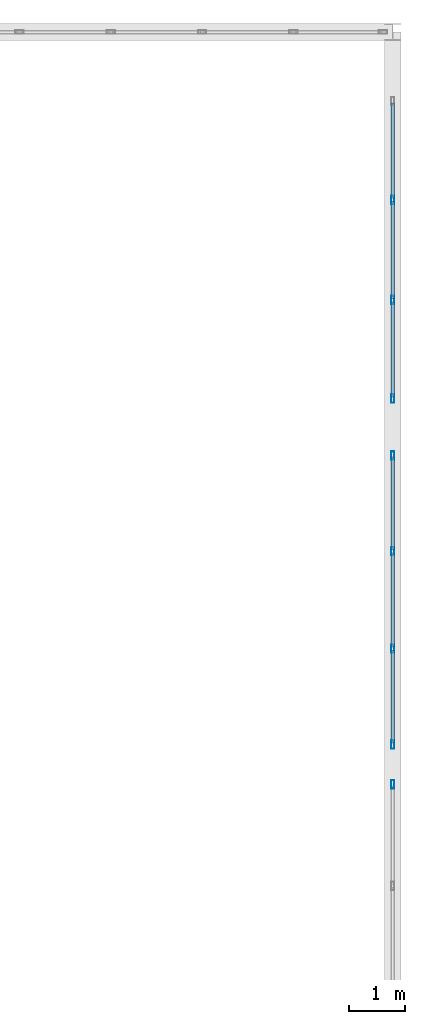
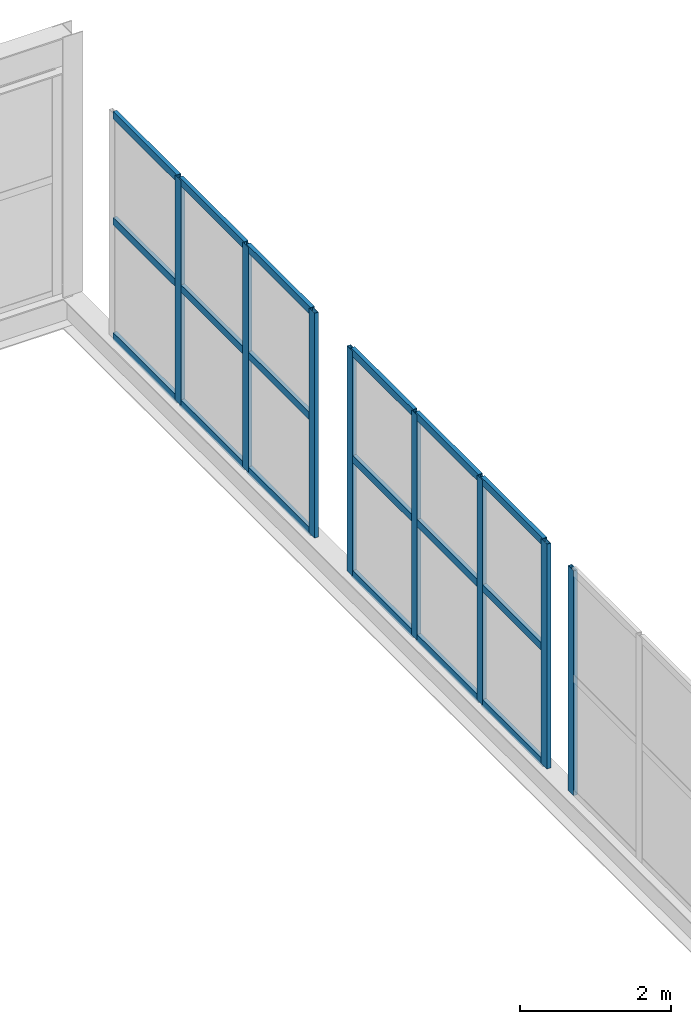
# One storey, part 159 of 218: 26 members, 3 elements without a shape of their own.
"""IFC4 building model written with IfcOpenShell, lengths in metres."""

from ifc_helpers import new_model, si_unit, direction, frame, origin, origin_2d, place, context, subcontext, project, spatial, hollow_rectangle, extrude, material, material_profile, profile_set, type_object, element, aggregate, save


model = new_model("IFC4")

# Units and contexts
model_context = context("Model", 3, precision=1e-05, world=origin(), true_north=direction((0.0, 1.0)))
body_context = subcontext(model_context, "Body", "Model", "MODEL_VIEW")
ifc_project = project(units=[si_unit("LENGTHUNIT", "METRE"), si_unit("AREAUNIT", "SQUARE_METRE"), si_unit("VOLUMEUNIT", "CUBIC_METRE"), si_unit("PLANEANGLEUNIT", "RADIAN"), si_unit("MASSUNIT", "GRAM", prefix="KILO")], contexts=[model_context])

# Site, building, storey
site_placement = place(None, origin())
site = spatial("IfcSite", under=ifc_project, at=site_placement, CompositionType="ELEMENT")
building_placement = place(site_placement, origin())
building = spatial("IfcBuilding", under=site, at=building_placement, Name="Kazenagashi Tramway Depot", CompositionType="ELEMENT")
storey_placement = place(building_placement, frame((0.0, 0.0, 6.0)))
storey = spatial("IfcBuildingStorey", under=building, at=storey_placement, Name="L02", CompositionType="ELEMENT", Elevation=6.0)

# Curtain wall, member
ifc_material_1 = material(Name="Anodised Aluminium and Low-E Glazing", Category="aluminium")
curtain_wall_type_1 = type_object("IfcCurtainWallType", Name="CW-08", PredefinedType="USERDEFINED", material=ifc_material_1)
curtain_wall_1_placement = place(storey_placement, origin())
curtain_wall_1 = element("IfcCurtainWall", 1, at=curtain_wall_1_placement, inside=storey, type_object=curtain_wall_type_1, Name="Industrial Glazed Screen CW-08 CW-0012", ObjectType="GLAZED SCREEN", PredefinedType="USERDEFINED")
ifc_material_2 = material(Name="Anodised Aluminium", Category="aluminium")
ifc_material_profile_1 = material_profile(ifc_material_2, hollow_rectangle(XDim=0.06, YDim=0.15, WallThickness=0.004, at=origin_2d()), Name="RHS-150x60x4")
ifc_profile_set_1 = profile_set([ifc_material_profile_1], Name="Anodised Aluminium")
member_type_1 = type_object("IfcMemberType", Name="ML-01", PredefinedType="MULLION", material=ifc_profile_set_1)
member_1_placement = place(storey_placement, frame((196.0, 116.62, -0.02), z_axis=(0.0, 0.0, 1.0), x_axis=(-1.0, 0.0, 0.0)))
member_1 = element("IfcMember", 2, at=member_1_placement, type_object=member_type_1, Name="CW-08 mullion 4", PredefinedType="MULLION", context=body_context, shape_type="SweptSolid", body=[
    extrude(hollow_rectangle(XDim=0.06, YDim=0.15, WallThickness=0.004, at=origin_2d()), origin(), (0.0, 0.0, 1.0), 3.632),
])
aggregate(curtain_wall_1, [member_1])

# Curtain wall, members
curtain_wall_type_2 = type_object("IfcCurtainWallType", Name="CW-04", PredefinedType="USERDEFINED", material=ifc_material_1)
curtain_wall_2_placement = place(storey_placement, origin())
curtain_wall_2 = element("IfcCurtainWall", 3, at=curtain_wall_2_placement, inside=storey, type_object=curtain_wall_type_2, Name="Industrial Glazed Screen CW-04 CW-0014", ObjectType="GLAZED SCREEN", PredefinedType="USERDEFINED")
member_2_placement = place(storey_placement, frame((196.0, 117.33, -0.02), z_axis=(0.0, 0.0, 1.0), x_axis=(-1.0, 0.0, 0.0)))
member_2 = element("IfcMember", 4, at=member_2_placement, type_object=member_type_1, Name="CW-04 mullion 1", PredefinedType="MULLION", context=body_context, shape_type="SweptSolid", body=[
    extrude(hollow_rectangle(XDim=0.06, YDim=0.15, WallThickness=0.004, at=origin_2d()), origin(), (0.0, 0.0, 1.0), 3.632),
])
member_3_placement = place(storey_placement, frame((196.0, 119.033333, -0.02), z_axis=(0.0, 0.0, 1.0), x_axis=(-1.0, 0.0, 0.0)))
member_3 = element("IfcMember", 5, at=member_3_placement, type_object=member_type_1, Name="CW-04 mullion 2", PredefinedType="MULLION", context=body_context, shape_type="SweptSolid", body=[
    extrude(hollow_rectangle(XDim=0.06, YDim=0.15, WallThickness=0.004, at=origin_2d()), origin(), (0.0, 0.0, 1.0), 3.632),
])
member_4_placement = place(storey_placement, frame((196.0, 120.766667, -0.02), z_axis=(0.0, 0.0, 1.0), x_axis=(-1.0, 0.0, 0.0)))
member_4 = element("IfcMember", 6, at=member_4_placement, type_object=member_type_1, Name="CW-04 mullion 3", PredefinedType="MULLION", context=body_context, shape_type="SweptSolid", body=[
    extrude(hollow_rectangle(XDim=0.06, YDim=0.15, WallThickness=0.004, at=origin_2d()), origin(), (0.0, 0.0, 1.0), 3.632),
])
member_5_placement = place(storey_placement, frame((196.0, 122.47, -0.02), z_axis=(0.0, 0.0, 1.0), x_axis=(-1.0, 0.0, 0.0)))
member_5 = element("IfcMember", 7, at=member_5_placement, type_object=member_type_1, Name="CW-04 mullion 4", PredefinedType="MULLION", context=body_context, shape_type="SweptSolid", body=[
    extrude(hollow_rectangle(XDim=0.06, YDim=0.15, WallThickness=0.004, at=origin_2d()), origin(), (0.0, 0.0, 1.0), 3.632),
])

curtain_wall_type_3 = type_object("IfcCurtainWallType", Name="CW-06", PredefinedType="USERDEFINED", material=ifc_material_1)
curtain_wall_3_placement = place(storey_placement, origin())
curtain_wall_3 = element("IfcCurtainWall", 8, at=curtain_wall_3_placement, inside=storey, type_object=curtain_wall_type_3, Name="Industrial Glazed Screen CW-06 CW-0016", ObjectType="GLAZED SCREEN", PredefinedType="USERDEFINED")
member_6_placement = place(storey_placement, frame((196.0, 123.48, -0.02), z_axis=(0.0, 0.0, 1.0), x_axis=(-1.0, 0.0, 0.0)))
member_6 = element("IfcMember", 9, at=member_6_placement, type_object=member_type_1, Name="CW-06 mullion 1", PredefinedType="MULLION", context=body_context, shape_type="SweptSolid", body=[
    extrude(hollow_rectangle(XDim=0.06, YDim=0.15, WallThickness=0.004, at=origin_2d()), origin(), (0.0, 0.0, 1.0), 3.632),
])
member_7_placement = place(storey_placement, frame((196.0, 125.233333, -0.02), z_axis=(0.0, 0.0, 1.0), x_axis=(-1.0, 0.0, 0.0)))
member_7 = element("IfcMember", 10, at=member_7_placement, type_object=member_type_1, Name="CW-06 mullion 2", PredefinedType="MULLION", context=body_context, shape_type="SweptSolid", body=[
    extrude(hollow_rectangle(XDim=0.06, YDim=0.15, WallThickness=0.004, at=origin_2d()), origin(), (0.0, 0.0, 1.0), 3.632),
])
member_8_placement = place(storey_placement, frame((196.0, 127.016667, -0.02), z_axis=(0.0, 0.0, 1.0), x_axis=(-1.0, 0.0, 0.0)))
member_8 = element("IfcMember", 11, at=member_8_placement, type_object=member_type_1, Name="CW-06 mullion 3", PredefinedType="MULLION", context=body_context, shape_type="SweptSolid", body=[
    extrude(hollow_rectangle(XDim=0.06, YDim=0.15, WallThickness=0.004, at=origin_2d()), origin(), (0.0, 0.0, 1.0), 3.632),
])

# Member
ifc_material_profile_2 = material_profile(ifc_material_2, hollow_rectangle(XDim=0.06, YDim=0.12, WallThickness=0.004, at=origin_2d()), Name="RHS-120x60x4")
ifc_profile_set_2 = profile_set([ifc_material_profile_2], Name="Anodised Aluminium")
member_type_2 = type_object("IfcMemberType", Name="TR-01", PredefinedType="USERDEFINED", material=ifc_profile_set_2)
member_9_placement = place(storey_placement, frame((196.0, 117.36, 0.01), z_axis=(0.0, 1.0, 0.0), x_axis=(-1.0, 0.0, 0.0)))
member_9 = element("IfcMember", 12, at=member_9_placement, type_object=member_type_2, Name="CW-04 transom 1.1", ObjectType="TRANSOM", PredefinedType="USERDEFINED", context=body_context, shape_type="SweptSolid", body=[
    extrude(hollow_rectangle(XDim=0.06, YDim=0.12, WallThickness=0.004, at=origin_2d()), origin(), (0.0, 0.0, 1.0), 1.643333),
])

member_10_placement = place(storey_placement, frame((196.0, 117.36, 1.869), z_axis=(0.0, 1.0, 0.0), x_axis=(-1.0, 0.0, 0.0)))
member_10 = element("IfcMember", 13, at=member_10_placement, type_object=member_type_2, Name="CW-04 transom 1.2", ObjectType="TRANSOM", PredefinedType="USERDEFINED", context=body_context, shape_type="SweptSolid", body=[
    extrude(hollow_rectangle(XDim=0.06, YDim=0.12, WallThickness=0.004, at=origin_2d()), origin(), (0.0, 0.0, 1.0), 1.643333),
])

member_11_placement = place(storey_placement, frame((196.0, 117.36, 3.582), z_axis=(0.0, 1.0, 0.0), x_axis=(-1.0, 0.0, 0.0)))
member_11 = element("IfcMember", 14, at=member_11_placement, type_object=member_type_2, Name="CW-04 transom 1.3", ObjectType="TRANSOM", PredefinedType="USERDEFINED", context=body_context, shape_type="SweptSolid", body=[
    extrude(hollow_rectangle(XDim=0.06, YDim=0.12, WallThickness=0.004, at=origin_2d()), origin(), (0.0, 0.0, 1.0), 1.643333),
])

member_12_placement = place(storey_placement, frame((196.0, 119.063333, 0.01), z_axis=(0.0, 1.0, 0.0), x_axis=(-1.0, 0.0, 0.0)))
member_12 = element("IfcMember", 15, at=member_12_placement, type_object=member_type_2, Name="CW-04 transom 2.1", ObjectType="TRANSOM", PredefinedType="USERDEFINED", context=body_context, shape_type="SweptSolid", body=[
    extrude(hollow_rectangle(XDim=0.06, YDim=0.12, WallThickness=0.004, at=origin_2d()), origin(), (0.0, 0.0, 1.0), 1.673334),
])

member_13_placement = place(storey_placement, frame((196.0, 119.063333, 1.869), z_axis=(0.0, 1.0, 0.0), x_axis=(-1.0, 0.0, 0.0)))
member_13 = element("IfcMember", 16, at=member_13_placement, type_object=member_type_2, Name="CW-04 transom 2.2", ObjectType="TRANSOM", PredefinedType="USERDEFINED", context=body_context, shape_type="SweptSolid", body=[
    extrude(hollow_rectangle(XDim=0.06, YDim=0.12, WallThickness=0.004, at=origin_2d()), origin(), (0.0, 0.0, 1.0), 1.673334),
])

member_14_placement = place(storey_placement, frame((196.0, 119.063333, 3.582), z_axis=(0.0, 1.0, 0.0), x_axis=(-1.0, 0.0, 0.0)))
member_14 = element("IfcMember", 17, at=member_14_placement, type_object=member_type_2, Name="CW-04 transom 2.3", ObjectType="TRANSOM", PredefinedType="USERDEFINED", context=body_context, shape_type="SweptSolid", body=[
    extrude(hollow_rectangle(XDim=0.06, YDim=0.12, WallThickness=0.004, at=origin_2d()), origin(), (0.0, 0.0, 1.0), 1.673334),
])

member_15_placement = place(storey_placement, frame((196.0, 120.796667, 0.01), z_axis=(0.0, 1.0, 0.0), x_axis=(-1.0, 0.0, 0.0)))
member_15 = element("IfcMember", 18, at=member_15_placement, type_object=member_type_2, Name="CW-04 transom 3.1", ObjectType="TRANSOM", PredefinedType="USERDEFINED", context=body_context, shape_type="SweptSolid", body=[
    extrude(hollow_rectangle(XDim=0.06, YDim=0.12, WallThickness=0.004, at=origin_2d()), origin(), (0.0, 0.0, 1.0), 1.643333),
])

member_16_placement = place(storey_placement, frame((196.0, 120.796667, 1.869), z_axis=(0.0, 1.0, 0.0), x_axis=(-1.0, 0.0, 0.0)))
member_16 = element("IfcMember", 19, at=member_16_placement, type_object=member_type_2, Name="CW-04 transom 3.2", ObjectType="TRANSOM", PredefinedType="USERDEFINED", context=body_context, shape_type="SweptSolid", body=[
    extrude(hollow_rectangle(XDim=0.06, YDim=0.12, WallThickness=0.004, at=origin_2d()), origin(), (0.0, 0.0, 1.0), 1.643333),
])

member_17_placement = place(storey_placement, frame((196.0, 120.796667, 3.582), z_axis=(0.0, 1.0, 0.0), x_axis=(-1.0, 0.0, 0.0)))
member_17 = element("IfcMember", 20, at=member_17_placement, type_object=member_type_2, Name="CW-04 transom 3.3", ObjectType="TRANSOM", PredefinedType="USERDEFINED", context=body_context, shape_type="SweptSolid", body=[
    extrude(hollow_rectangle(XDim=0.06, YDim=0.12, WallThickness=0.004, at=origin_2d()), origin(), (0.0, 0.0, 1.0), 1.643333),
])

aggregate(curtain_wall_2, [member_2, member_3, member_4, member_5, member_9, member_10, member_11, member_12, member_13, member_14, member_15, member_16, member_17])

member_18_placement = place(storey_placement, frame((196.0, 123.51, 0.01), z_axis=(0.0, 1.0, 0.0), x_axis=(-1.0, 0.0, 0.0)))
member_18 = element("IfcMember", 21, at=member_18_placement, type_object=member_type_2, Name="CW-06 transom 1.1", ObjectType="TRANSOM", PredefinedType="USERDEFINED", context=body_context, shape_type="SweptSolid", body=[
    extrude(hollow_rectangle(XDim=0.06, YDim=0.12, WallThickness=0.004, at=origin_2d()), origin(), (0.0, 0.0, 1.0), 1.693333),
])

member_19_placement = place(storey_placement, frame((196.0, 123.51, 1.869), z_axis=(0.0, 1.0, 0.0), x_axis=(-1.0, 0.0, 0.0)))
member_19 = element("IfcMember", 22, at=member_19_placement, type_object=member_type_2, Name="CW-06 transom 1.2", ObjectType="TRANSOM", PredefinedType="USERDEFINED", context=body_context, shape_type="SweptSolid", body=[
    extrude(hollow_rectangle(XDim=0.06, YDim=0.12, WallThickness=0.004, at=origin_2d()), origin(), (0.0, 0.0, 1.0), 1.693333),
])

member_20_placement = place(storey_placement, frame((196.0, 123.51, 3.582), z_axis=(0.0, 1.0, 0.0), x_axis=(-1.0, 0.0, 0.0)))
member_20 = element("IfcMember", 23, at=member_20_placement, type_object=member_type_2, Name="CW-06 transom 1.3", ObjectType="TRANSOM", PredefinedType="USERDEFINED", context=body_context, shape_type="SweptSolid", body=[
    extrude(hollow_rectangle(XDim=0.06, YDim=0.12, WallThickness=0.004, at=origin_2d()), origin(), (0.0, 0.0, 1.0), 1.693333),
])

member_21_placement = place(storey_placement, frame((196.0, 125.263333, 0.01), z_axis=(0.0, 1.0, 0.0), x_axis=(-1.0, 0.0, 0.0)))
member_21 = element("IfcMember", 24, at=member_21_placement, type_object=member_type_2, Name="CW-06 transom 2.1", ObjectType="TRANSOM", PredefinedType="USERDEFINED", context=body_context, shape_type="SweptSolid", body=[
    extrude(hollow_rectangle(XDim=0.06, YDim=0.12, WallThickness=0.004, at=origin_2d()), origin(), (0.0, 0.0, 1.0), 1.723334),
])

member_22_placement = place(storey_placement, frame((196.0, 125.263333, 1.869), z_axis=(0.0, 1.0, 0.0), x_axis=(-1.0, 0.0, 0.0)))
member_22 = element("IfcMember", 25, at=member_22_placement, type_object=member_type_2, Name="CW-06 transom 2.2", ObjectType="TRANSOM", PredefinedType="USERDEFINED", context=body_context, shape_type="SweptSolid", body=[
    extrude(hollow_rectangle(XDim=0.06, YDim=0.12, WallThickness=0.004, at=origin_2d()), origin(), (0.0, 0.0, 1.0), 1.723334),
])

member_23_placement = place(storey_placement, frame((196.0, 125.263333, 3.582), z_axis=(0.0, 1.0, 0.0), x_axis=(-1.0, 0.0, 0.0)))
member_23 = element("IfcMember", 26, at=member_23_placement, type_object=member_type_2, Name="CW-06 transom 2.3", ObjectType="TRANSOM", PredefinedType="USERDEFINED", context=body_context, shape_type="SweptSolid", body=[
    extrude(hollow_rectangle(XDim=0.06, YDim=0.12, WallThickness=0.004, at=origin_2d()), origin(), (0.0, 0.0, 1.0), 1.723334),
])

member_24_placement = place(storey_placement, frame((196.0, 127.046667, 0.01), z_axis=(0.0, 1.0, 0.0), x_axis=(-1.0, 0.0, 0.0)))
member_24 = element("IfcMember", 27, at=member_24_placement, type_object=member_type_2, Name="CW-06 transom 3.1", ObjectType="TRANSOM", PredefinedType="USERDEFINED", context=body_context, shape_type="SweptSolid", body=[
    extrude(hollow_rectangle(XDim=0.06, YDim=0.12, WallThickness=0.004, at=origin_2d()), origin(), (0.0, 0.0, 1.0), 1.693333),
])

member_25_placement = place(storey_placement, frame((196.0, 127.046667, 1.869), z_axis=(0.0, 1.0, 0.0), x_axis=(-1.0, 0.0, 0.0)))
member_25 = element("IfcMember", 28, at=member_25_placement, type_object=member_type_2, Name="CW-06 transom 3.2", ObjectType="TRANSOM", PredefinedType="USERDEFINED", context=body_context, shape_type="SweptSolid", body=[
    extrude(hollow_rectangle(XDim=0.06, YDim=0.12, WallThickness=0.004, at=origin_2d()), origin(), (0.0, 0.0, 1.0), 1.693333),
])

member_26_placement = place(storey_placement, frame((196.0, 127.046667, 3.582), z_axis=(0.0, 1.0, 0.0), x_axis=(-1.0, 0.0, 0.0)))
member_26 = element("IfcMember", 29, at=member_26_placement, type_object=member_type_2, Name="CW-06 transom 3.3", ObjectType="TRANSOM", PredefinedType="USERDEFINED", context=body_context, shape_type="SweptSolid", body=[
    extrude(hollow_rectangle(XDim=0.06, YDim=0.12, WallThickness=0.004, at=origin_2d()), origin(), (0.0, 0.0, 1.0), 1.693333),
])

aggregate(curtain_wall_3, [member_6, member_7, member_8, member_18, member_19, member_20, member_21, member_22, member_23, member_24, member_25, member_26])

save(model, "model.ifc")
